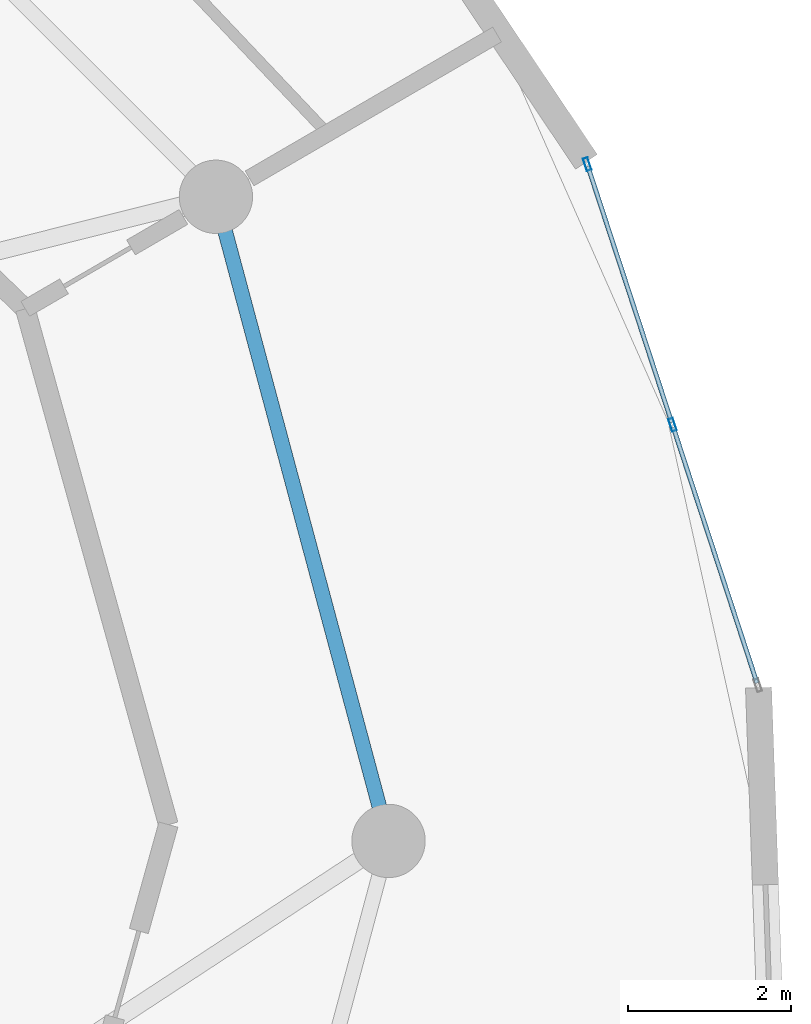
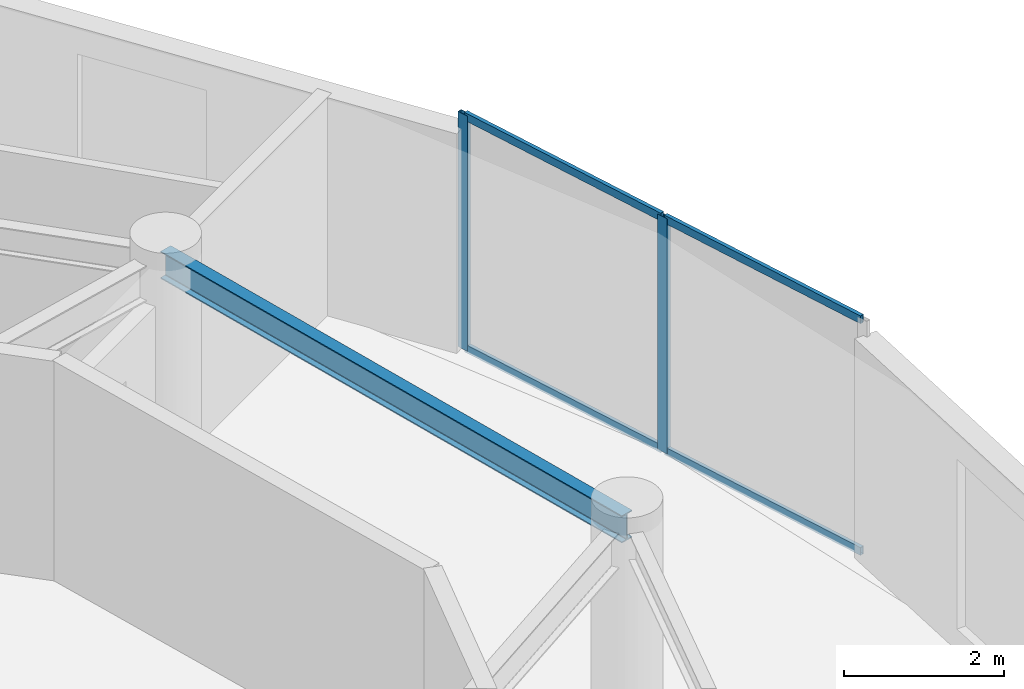
# One storey, part 10 of 18: 6 members, 1 beam, 1 element without a shape of its own.
"""IFC4 building model written with IfcOpenShell, lengths in metres."""

from ifc_helpers import new_model, si_unit, direction, frame, origin, origin_2d, place, context, subcontext, project, spatial, hollow_rectangle, i_section, extrude, source, transform, mapped, material, layer, layer_set, material_profile, profile_set, type_object, element, aggregate, save


model = new_model("IFC4")

# Units and contexts
model_context = context("Model", 3, precision=1e-05, world=origin(), true_north=direction((0.0, 1.0)))
body_context = subcontext(model_context, "Body", "Model", "MODEL_VIEW")
ifc_project = project(units=[si_unit("LENGTHUNIT", "METRE"), si_unit("AREAUNIT", "SQUARE_METRE"), si_unit("VOLUMEUNIT", "CUBIC_METRE"), si_unit("PLANEANGLEUNIT", "RADIAN"), si_unit("MASSUNIT", "GRAM", prefix="KILO")], contexts=[model_context])

# Site, building, storey
site_placement = place(None, origin())
site = spatial("IfcSite", under=ifc_project, at=site_placement, CompositionType="ELEMENT")
building_placement = place(site_placement, origin())
building = spatial("IfcBuilding", under=site, at=building_placement, Name="Solvirekh Grand Hotel", CompositionType="ELEMENT")
storey_placement = place(building_placement, frame((0.0, 0.0, 202.0)))
storey = spatial("IfcBuildingStorey", under=building, at=storey_placement, Name="L52", CompositionType="ELEMENT", Elevation=202.0)

# Beam
ifc_material_1 = material(Name="Steel S355", Category="steel")
ifc_material_profile_1 = material_profile(ifc_material_1, i_section(OverallWidth=0.180908203125, OverallDepth=0.4169921875, WebThickness=0.010009765625, FlangeThickness=0.01611328125, FilletRadius=0.011962890625, at=origin_2d()), Name="W410X85")
ifc_profile_set_1 = profile_set([ifc_material_profile_1], Name="Steel S355")
beam_type = type_object("IfcBeamType", Name="Spandrel_Ring_W410", PredefinedType="SPANDREL", material=ifc_profile_set_1)
beam_placement = place(storey_placement, frame((15.800048828125, 0.0, 3.152099609375), z_axis=(-0.258838541915, 0.965920601923, 0.0), x_axis=(-0.965920601923, -0.258838541915, 0.0)))
element("IfcBeam", 1, at=beam_placement, inside=storey, type_object=beam_type, Name="L52 perimeter spandrel beam 1", PredefinedType="SPANDREL", context=body_context, shape_type="SweptSolid", body=[
    extrude(i_section(OverallWidth=0.180908203125, OverallDepth=0.4169921875, WebThickness=0.010009765625, FlangeThickness=0.01611328125, FilletRadius=0.011962890625, at=origin_2d()), origin(), (0.0, 0.0, 1.0), 8.1787109375),
])

# Curtain wall, members
ifc_material_2 = material(Name="Anodized Bronze Aluminium 6063-T6", Category="aluminium")
ifc_layer = layer(ifc_material_2, 0.159912109375)
ifc_layer_set = layer_set([ifc_layer], Name="Anodized Bronze Aluminium 6063-T6")
curtain_wall_type = type_object("IfcCurtainWallType", Name="CW_Sys4_HighZoneFlushBronzeCW", PredefinedType="NOTDEFINED", material=ifc_layer_set)
curtain_wall_placement = place(storey_placement, origin())
curtain_wall = element("IfcCurtainWall", 2, at=curtain_wall_placement, inside=storey, type_object=curtain_wall_type, Name="L52 unitised bronze-glass curtain wall CW-L52-C05", PredefinedType="NOTDEFINED")
ifc_material_profile_2 = material_profile(ifc_material_2, hollow_rectangle(XDim=0.06005859375, YDim=0.159912109375, WallThickness=0.0048828125, at=origin_2d()), Name="ALU RHS 160X60X5")
ifc_profile_set_2 = profile_set([ifc_material_profile_2], Name="Anodized Bronze Aluminium 6063-T6")
member_type_1 = type_object("IfcMemberType", Name="CWMullion_Sys4", PredefinedType="MULLION", material=ifc_profile_set_2)
shared_shape_1 = source(origin(), body_context, "Body", "SweptSolid", [
    extrude(hollow_rectangle(XDim=0.06005859375, YDim=0.159912109375, WallThickness=0.0048828125, at=origin_2d()), origin(), (0.0, 0.0, 1.0), 3.60009765625),
])
member_1_placement = place(storey_placement, frame((19.282470703125, 5.1044921875, 0.0), z_axis=(0.0, 0.0, 1.0), x_axis=(-0.950378909882, -0.311094724563, 0.0)))
member_1 = element("IfcMember", 3, at=member_1_placement, type_object=member_type_1, Name="U04 mullion 2", PredefinedType="MULLION", context=body_context, shape_type="MappedRepresentation", body=[
    mapped(shared_shape_1, transform((0.0, 0.0, 0.0), x_axis=(1.0, 0.0, 0.0), y_axis=(0.0, 1.0, 0.0), z_axis=(0.0, 0.0, 1.0), scale=1.0)),
])
member_2_placement = place(storey_placement, frame((18.236328125, 8.300537109375, 0.0), z_axis=(0.0, 0.0, 1.0), x_axis=(-0.950378909882, -0.311094724563, 0.0)))
member_2 = element("IfcMember", 4, at=member_2_placement, type_object=member_type_1, Name="U04 mullion 3", PredefinedType="MULLION", context=body_context, shape_type="MappedRepresentation", body=[
    mapped(shared_shape_1, transform((0.0, 0.0, 0.0), x_axis=(1.0, 0.0, 0.0), y_axis=(0.0, 1.0, 0.0), z_axis=(0.0, 0.0, 1.0), scale=1.0)),
])
ifc_material_profile_3 = material_profile(ifc_material_2, hollow_rectangle(XDim=0.054931640625, YDim=0.1201171875, WallThickness=0.00390625, at=origin_2d()), Name="ALU RHS 120X55X4")
ifc_profile_set_3 = profile_set([ifc_material_profile_3], Name="Anodized Bronze Aluminium 6063-T6")
member_type_2 = type_object("IfcMemberType", Name="CWTransom_Sys4", PredefinedType="USERDEFINED", material=ifc_profile_set_3)
shared_shape_2 = source(origin(), body_context, "Body", "SweptSolid", [
    extrude(hollow_rectangle(XDim=0.054931640625, YDim=0.1201171875, WallThickness=0.00390625, at=origin_2d()), origin(), (0.0, 0.0, 1.0), 3.302734375),
])
member_3_placement = place(storey_placement, frame((20.3193359375, 1.93701171875, 0.027587890625), z_axis=(-0.311122821696, 0.950369712175, 0.0), x_axis=(-0.950369712175, -0.311122821696, 0.0)))
member_3 = element("IfcMember", 5, at=member_3_placement, type_object=member_type_2, Name="U04 transom 1.1", ObjectType="TRANSOM", PredefinedType="USERDEFINED", context=body_context, shape_type="MappedRepresentation", body=[
    mapped(shared_shape_2, transform((0.0, 0.0, 0.0), x_axis=(1.0, 0.0, 0.0), y_axis=(0.0, 1.0, 0.0), z_axis=(0.0, 0.0, 1.0), scale=1.0)),
])
member_4_placement = place(storey_placement, frame((20.3193359375, 1.93701171875, 3.572509765625), z_axis=(-0.311122821696, 0.950369712175, 0.0), x_axis=(-0.950369712175, -0.311122821696, 0.0)))
member_4 = element("IfcMember", 6, at=member_4_placement, type_object=member_type_2, Name="U04 transom 1.2", ObjectType="TRANSOM", PredefinedType="USERDEFINED", context=body_context, shape_type="MappedRepresentation", body=[
    mapped(shared_shape_2, transform((0.0, 0.0, 0.0), x_axis=(1.0, 0.0, 0.0), y_axis=(0.0, 1.0, 0.0), z_axis=(0.0, 0.0, 1.0), scale=1.0)),
])
member_5_placement = place(storey_placement, frame((19.273193359375, 5.133056640625, 0.027587890625), z_axis=(-0.311122821696, 0.950369712175, 0.0), x_axis=(-0.950369712175, -0.311122821696, 0.0)))
member_5 = element("IfcMember", 7, at=member_5_placement, type_object=member_type_2, Name="U04 transom 2.1", ObjectType="TRANSOM", PredefinedType="USERDEFINED", context=body_context, shape_type="MappedRepresentation", body=[
    mapped(shared_shape_2, transform((0.0, 0.0, 0.0), x_axis=(1.0, 0.0, 0.0), y_axis=(0.0, 1.0, 0.0), z_axis=(0.0, 0.0, 1.0), scale=1.0)),
])
member_6_placement = place(storey_placement, frame((19.273193359375, 5.133056640625, 3.572509765625), z_axis=(-0.311122821696, 0.950369712175, 0.0), x_axis=(-0.950369712175, -0.311122821696, 0.0)))
member_6 = element("IfcMember", 8, at=member_6_placement, type_object=member_type_2, Name="U04 transom 2.2", ObjectType="TRANSOM", PredefinedType="USERDEFINED", context=body_context, shape_type="MappedRepresentation", body=[
    mapped(shared_shape_2, transform((0.0, 0.0, 0.0), x_axis=(1.0, 0.0, 0.0), y_axis=(0.0, 1.0, 0.0), z_axis=(0.0, 0.0, 1.0), scale=1.0)),
])
aggregate(curtain_wall, [member_1, member_2, member_3, member_4, member_5, member_6])

save(model, "model.ifc")
